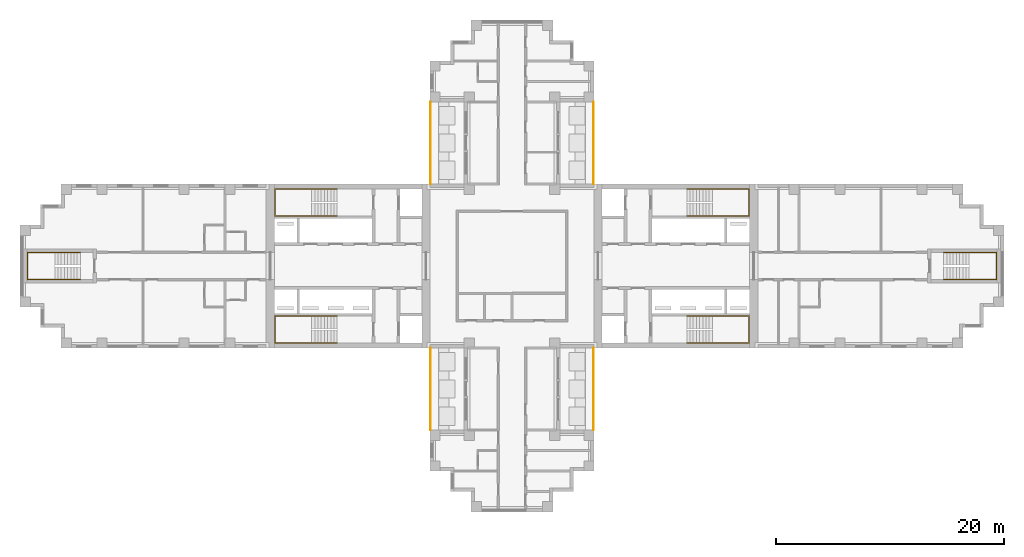
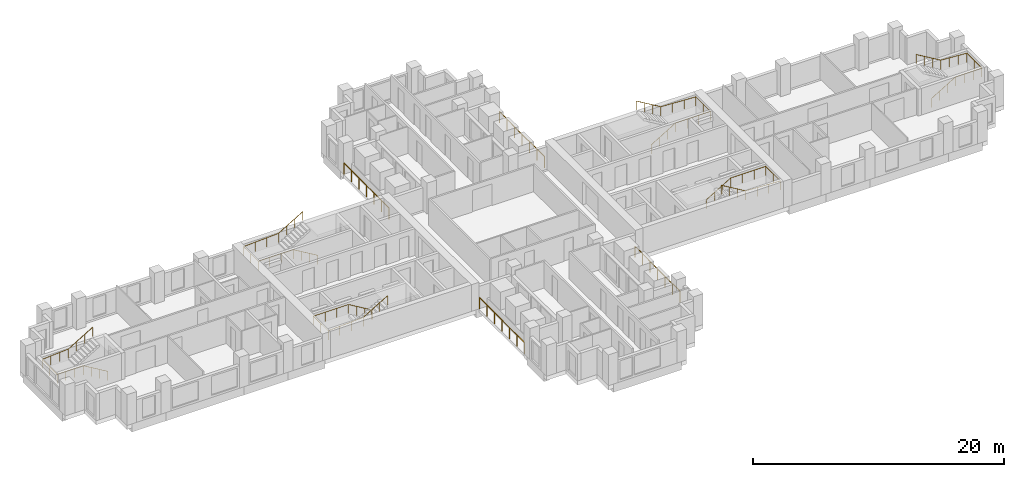
# One storey, part 10 of 11: 10 railings.
"""IFC4 building model written with IfcOpenShell, lengths in metres."""

from ifc_helpers import new_model, si_unit, direction, frame, origin, origin_2d, place, context, subcontext, project, spatial, circle, extrude, material, type_object, element, save


model = new_model("IFC4")

# Units and contexts
model_context = context("Model", 3, precision=1e-05, world=origin(), true_north=direction((0.0, 1.0)))
body_context = subcontext(model_context, "Body", "Model", "MODEL_VIEW")
ifc_project = project(units=[si_unit("LENGTHUNIT", "METRE"), si_unit("AREAUNIT", "SQUARE_METRE"), si_unit("VOLUMEUNIT", "CUBIC_METRE"), si_unit("PLANEANGLEUNIT", "RADIAN"), si_unit("MASSUNIT", "GRAM", prefix="KILO")], contexts=[model_context])

# Site, building, storey
site_placement = place(None, origin())
site = spatial("IfcSite", under=ifc_project, at=site_placement, CompositionType="ELEMENT")
building_placement = place(site_placement, origin())
building = spatial("IfcBuilding", under=site, at=building_placement, Name="Fustian Cross Tower", CompositionType="ELEMENT")
storey_placement = place(building_placement, frame((0.0, 0.0, 120.300048828125)))
storey = spatial("IfcBuildingStorey", under=building, at=storey_placement, Name="L37", CompositionType="ELEMENT", Elevation=120.300048828125)

# Railings
ifc_material_1 = material(Name="Stainless steel and glass", Category="steel")
railing_type_1 = type_object("IfcRailingType", Name="GR1 BALCONY GUARD 1100", PredefinedType="GUARDRAIL", material=ifc_material_1)
for number, where, name in (
    (1, (7.14990234375, 7.199951171875, 0.0), "Balcony guard"),
    (2, (-7.14990234375, 7.199951171875, 0.0), "Balcony guard"),
    (3, (7.14990234375, -14.39990234375, 0.0), "Balcony guard"),
    (4, (-7.14990234375, -14.39990234375, 0.0), "Balcony guard"),
):
    element("IfcRailing", number, at=place(storey_placement, frame(where)), inside=storey, type_object=railing_type_1, Name=name, PredefinedType="GUARDRAIL", context=body_context, shape_type="SweptSolid", body=[
        extrude(circle(Radius=0.02392578125, at=origin_2d()), frame((0.0, 0.0, 1.076171875), z_axis=(0.0, 1.0, 0.0), x_axis=(-1.0, 0.0, 0.0)), (0.0, 0.0, 1.0), 7.199951171875),
        extrude(circle(Radius=0.02099609375, at=origin_2d()), origin(), (0.0, 0.0, 1.0), 1.052001953125),
        extrude(circle(Radius=0.02099609375, at=origin_2d()), frame((0.0, 1.199951171875, 0.0)), (0.0, 0.0, 1.0), 1.052001953125),
        extrude(circle(Radius=0.02099609375, at=origin_2d()), frame((0.0, 2.39990234375, 0.0)), (0.0, 0.0, 1.0), 1.052001953125),
        extrude(circle(Radius=0.02099609375, at=origin_2d()), frame((0.0, 3.60009765625, 0.0)), (0.0, 0.0, 1.0), 1.052001953125),
        extrude(circle(Radius=0.02099609375, at=origin_2d()), frame((0.0, 4.800048828125, 0.0)), (0.0, 0.0, 1.0), 1.052001953125),
        extrude(circle(Radius=0.02099609375, at=origin_2d()), frame((0.0, 6.0, 0.0)), (0.0, 0.0, 1.0), 1.052001953125),
        extrude(circle(Radius=0.02099609375, at=origin_2d()), frame((0.0, 7.199951171875, 0.0)), (0.0, 0.0, 1.0), 1.052001953125),
    ])
ifc_material_2 = material(Name="Stainless steel", Category="steel")
railing_type_2 = type_object("IfcRailingType", Name="STAIR HANDRAIL", PredefinedType="HANDRAIL", material=ifc_material_2)
railing_1_placement = place(storey_placement, frame((15.35009765625, 4.39990234375, 0.16650390625)))
element("IfcRailing", 5, at=railing_1_placement, inside=storey, type_object=railing_type_2, Name="Stair ST1 handrail 1", PredefinedType="HANDRAIL", context=body_context, shape_type="SweptSolid", body=[
    extrude(circle(Radius=0.02490234375, at=origin_2d()), frame((0.0, 0.0, 0.875), z_axis=(0.859264461869, 0.0, 0.511531606619), x_axis=(0.0, 1.0, 0.0)), (0.0, 0.0, 1.0), 2.60693359375),
    extrude(circle(Radius=0.02490234375, at=origin_2d()), frame((2.239990234375, 0.0, 2.20849609375), z_axis=(1.0, 0.0, 0.0), x_axis=(0.0, 1.0, 0.0)), (0.0, 0.0, 1.0), 3.219970703125),
    extrude(circle(Radius=0.02490234375, at=origin_2d()), frame((5.4599609375, 0.0, 2.20849609375), z_axis=(0.0, 1.0, 0.0), x_axis=(-1.0, 0.0, 0.0)), (0.0, 0.0, 1.0), 2.35009765625),
    extrude(circle(Radius=0.02490234375, at=origin_2d()), frame((5.4599609375, 2.35009765625, 2.20849609375), z_axis=(-0.998665725648, 0.0, 0.051640763128), x_axis=(0.0, -1.0, 0.0)), (0.0, 0.0, 1.0), 3.224365234375),
    extrude(circle(Radius=0.02490234375, at=origin_2d()), frame((2.239990234375, 2.35009765625, 2.375), z_axis=(-0.859264461869, 0.0, 0.511531606619), x_axis=(0.0, -1.0, 0.0)), (0.0, 0.0, 1.0), 2.60693359375),
    extrude(circle(Radius=0.02001953125, at=origin_2d()), origin(), (0.0, 0.0, 1.0), 0.849853515625),
    extrude(circle(Radius=0.02001953125, at=origin_2d()), frame((0.74658203125, 0.0, 0.444580078125)), (0.0, 0.0, 1.0), 0.849853515625),
    extrude(circle(Radius=0.02001953125, at=origin_2d()), frame((1.493408203125, 0.0, 0.888916015625)), (0.0, 0.0, 1.0), 0.849853515625),
    extrude(circle(Radius=0.02001953125, at=origin_2d()), frame((2.239990234375, 0.0, 1.33349609375)), (0.0, 0.0, 1.0), 0.849853515625),
    extrude(circle(Radius=0.02001953125, at=origin_2d()), frame((3.313232421875, 0.0, 1.33349609375)), (0.0, 0.0, 1.0), 0.849853515625),
    extrude(circle(Radius=0.02001953125, at=origin_2d()), frame((4.38671875, 0.0, 1.33349609375)), (0.0, 0.0, 1.0), 0.849853515625),
    extrude(circle(Radius=0.02001953125, at=origin_2d()), frame((5.4599609375, 0.0, 1.33349609375)), (0.0, 0.0, 1.0), 0.849853515625),
    extrude(circle(Radius=0.02001953125, at=origin_2d()), frame((5.4599609375, 1.175048828125, 1.33349609375)), (0.0, 0.0, 1.0), 0.849853515625),
    extrude(circle(Radius=0.02001953125, at=origin_2d()), frame((5.4599609375, 2.35009765625, 1.33349609375)), (0.0, 0.0, 1.0), 0.849853515625),
    extrude(circle(Radius=0.02001953125, at=origin_2d()), frame((4.38671875, 2.35009765625, 1.388916015625)), (0.0, 0.0, 1.0), 0.849853515625),
    extrude(circle(Radius=0.02001953125, at=origin_2d()), frame((3.313232421875, 2.35009765625, 1.444580078125)), (0.0, 0.0, 1.0), 0.849853515625),
    extrude(circle(Radius=0.02001953125, at=origin_2d()), frame((2.239990234375, 2.35009765625, 1.5)), (0.0, 0.0, 1.0), 0.849853515625),
    extrude(circle(Radius=0.02001953125, at=origin_2d()), frame((1.493408203125, 2.35009765625, 1.944580078125)), (0.0, 0.0, 1.0), 0.849853515625),
    extrude(circle(Radius=0.02001953125, at=origin_2d()), frame((0.74658203125, 2.35009765625, 2.388916015625)), (0.0, 0.0, 1.0), 0.849853515625),
    extrude(circle(Radius=0.02001953125, at=origin_2d()), frame((0.0, 2.35009765625, 2.83349609375)), (0.0, 0.0, 1.0), 0.849853515625),
])
railing_2_placement = place(storey_placement, frame((15.35009765625, -4.39990234375, 0.16650390625)))
element("IfcRailing", 6, at=railing_2_placement, inside=storey, type_object=railing_type_2, Name="Stair ST2 handrail 1", PredefinedType="HANDRAIL", context=body_context, shape_type="SweptSolid", body=[
    extrude(circle(Radius=0.02490234375, at=origin_2d()), frame((0.0, 0.0, 0.875), z_axis=(0.859264461869, 0.0, 0.511531606619), x_axis=(0.0, 1.0, 0.0)), (0.0, 0.0, 1.0), 2.60693359375),
    extrude(circle(Radius=0.02490234375, at=origin_2d()), frame((2.239990234375, 0.0, 2.20849609375), z_axis=(1.0, 0.0, 0.0), x_axis=(0.0, 1.0, 0.0)), (0.0, 0.0, 1.0), 3.219970703125),
    extrude(circle(Radius=0.02490234375, at=origin_2d()), frame((5.4599609375, 0.0, 2.20849609375), z_axis=(0.0, -1.0, 0.0), x_axis=(1.0, 0.0, 0.0)), (0.0, 0.0, 1.0), 2.35009765625),
    extrude(circle(Radius=0.02490234375, at=origin_2d()), frame((5.4599609375, -2.35009765625, 2.20849609375), z_axis=(-0.998665725648, 0.0, 0.051640763128), x_axis=(0.0, -1.0, 0.0)), (0.0, 0.0, 1.0), 3.224365234375),
    extrude(circle(Radius=0.02490234375, at=origin_2d()), frame((2.239990234375, -2.35009765625, 2.375), z_axis=(-0.859264461869, 0.0, 0.511531606619), x_axis=(0.0, -1.0, 0.0)), (0.0, 0.0, 1.0), 2.60693359375),
    extrude(circle(Radius=0.02001953125, at=origin_2d()), origin(), (0.0, 0.0, 1.0), 0.849853515625),
    extrude(circle(Radius=0.02001953125, at=origin_2d()), frame((0.74658203125, 0.0, 0.444580078125)), (0.0, 0.0, 1.0), 0.849853515625),
    extrude(circle(Radius=0.02001953125, at=origin_2d()), frame((1.493408203125, 0.0, 0.888916015625)), (0.0, 0.0, 1.0), 0.849853515625),
    extrude(circle(Radius=0.02001953125, at=origin_2d()), frame((2.239990234375, 0.0, 1.33349609375)), (0.0, 0.0, 1.0), 0.849853515625),
    extrude(circle(Radius=0.02001953125, at=origin_2d()), frame((3.313232421875, 0.0, 1.33349609375)), (0.0, 0.0, 1.0), 0.849853515625),
    extrude(circle(Radius=0.02001953125, at=origin_2d()), frame((4.38671875, 0.0, 1.33349609375)), (0.0, 0.0, 1.0), 0.849853515625),
    extrude(circle(Radius=0.02001953125, at=origin_2d()), frame((5.4599609375, 0.0, 1.33349609375)), (0.0, 0.0, 1.0), 0.849853515625),
    extrude(circle(Radius=0.02001953125, at=origin_2d()), frame((5.4599609375, -1.175048828125, 1.33349609375)), (0.0, 0.0, 1.0), 0.849853515625),
    extrude(circle(Radius=0.02001953125, at=origin_2d()), frame((5.4599609375, -2.35009765625, 1.33349609375)), (0.0, 0.0, 1.0), 0.849853515625),
    extrude(circle(Radius=0.02001953125, at=origin_2d()), frame((4.38671875, -2.35009765625, 1.388916015625)), (0.0, 0.0, 1.0), 0.849853515625),
    extrude(circle(Radius=0.02001953125, at=origin_2d()), frame((3.313232421875, -2.35009765625, 1.444580078125)), (0.0, 0.0, 1.0), 0.849853515625),
    extrude(circle(Radius=0.02001953125, at=origin_2d()), frame((2.239990234375, -2.35009765625, 1.5)), (0.0, 0.0, 1.0), 0.849853515625),
    extrude(circle(Radius=0.02001953125, at=origin_2d()), frame((1.493408203125, -2.35009765625, 1.944580078125)), (0.0, 0.0, 1.0), 0.849853515625),
    extrude(circle(Radius=0.02001953125, at=origin_2d()), frame((0.74658203125, -2.35009765625, 2.388916015625)), (0.0, 0.0, 1.0), 0.849853515625),
    extrude(circle(Radius=0.02001953125, at=origin_2d()), frame((0.0, -2.35009765625, 2.83349609375)), (0.0, 0.0, 1.0), 0.849853515625),
])
railing_3_placement = place(storey_placement, frame((-15.35009765625, 4.39990234375, 0.16650390625)))
element("IfcRailing", 7, at=railing_3_placement, inside=storey, type_object=railing_type_2, Name="Stair ST3 handrail 1", PredefinedType="HANDRAIL", context=body_context, shape_type="SweptSolid", body=[
    extrude(circle(Radius=0.02490234375, at=origin_2d()), frame((0.0, 0.0, 0.875), z_axis=(-0.859264461869, 0.0, 0.511531606619), x_axis=(0.0, -1.0, 0.0)), (0.0, 0.0, 1.0), 2.60693359375),
    extrude(circle(Radius=0.02490234375, at=origin_2d()), frame((-2.239990234375, 0.0, 2.20849609375), z_axis=(-1.0, 0.0, 0.0), x_axis=(0.0, -1.0, 0.0)), (0.0, 0.0, 1.0), 3.219970703125),
    extrude(circle(Radius=0.02490234375, at=origin_2d()), frame((-5.4599609375, 0.0, 2.20849609375), z_axis=(0.0, 1.0, 0.0), x_axis=(-1.0, 0.0, 0.0)), (0.0, 0.0, 1.0), 2.35009765625),
    extrude(circle(Radius=0.02490234375, at=origin_2d()), frame((-5.4599609375, 2.35009765625, 2.20849609375), z_axis=(0.998665725648, 0.0, 0.051640763128), x_axis=(0.0, 1.0, 0.0)), (0.0, 0.0, 1.0), 3.224365234375),
    extrude(circle(Radius=0.02490234375, at=origin_2d()), frame((-2.239990234375, 2.35009765625, 2.375), z_axis=(0.859264461869, 0.0, 0.511531606619), x_axis=(0.0, 1.0, 0.0)), (0.0, 0.0, 1.0), 2.60693359375),
    extrude(circle(Radius=0.02001953125, at=origin_2d()), origin(), (0.0, 0.0, 1.0), 0.849853515625),
    extrude(circle(Radius=0.02001953125, at=origin_2d()), frame((-0.74658203125, 0.0, 0.444580078125)), (0.0, 0.0, 1.0), 0.849853515625),
    extrude(circle(Radius=0.02001953125, at=origin_2d()), frame((-1.493408203125, 0.0, 0.888916015625)), (0.0, 0.0, 1.0), 0.849853515625),
    extrude(circle(Radius=0.02001953125, at=origin_2d()), frame((-2.239990234375, 0.0, 1.33349609375)), (0.0, 0.0, 1.0), 0.849853515625),
    extrude(circle(Radius=0.02001953125, at=origin_2d()), frame((-3.313232421875, 0.0, 1.33349609375)), (0.0, 0.0, 1.0), 0.849853515625),
    extrude(circle(Radius=0.02001953125, at=origin_2d()), frame((-4.38671875, 0.0, 1.33349609375)), (0.0, 0.0, 1.0), 0.849853515625),
    extrude(circle(Radius=0.02001953125, at=origin_2d()), frame((-5.4599609375, 0.0, 1.33349609375)), (0.0, 0.0, 1.0), 0.849853515625),
    extrude(circle(Radius=0.02001953125, at=origin_2d()), frame((-5.4599609375, 1.175048828125, 1.33349609375)), (0.0, 0.0, 1.0), 0.849853515625),
    extrude(circle(Radius=0.02001953125, at=origin_2d()), frame((-5.4599609375, 2.35009765625, 1.33349609375)), (0.0, 0.0, 1.0), 0.849853515625),
    extrude(circle(Radius=0.02001953125, at=origin_2d()), frame((-4.38671875, 2.35009765625, 1.388916015625)), (0.0, 0.0, 1.0), 0.849853515625),
    extrude(circle(Radius=0.02001953125, at=origin_2d()), frame((-3.313232421875, 2.35009765625, 1.444580078125)), (0.0, 0.0, 1.0), 0.849853515625),
    extrude(circle(Radius=0.02001953125, at=origin_2d()), frame((-2.239990234375, 2.35009765625, 1.5)), (0.0, 0.0, 1.0), 0.849853515625),
    extrude(circle(Radius=0.02001953125, at=origin_2d()), frame((-1.493408203125, 2.35009765625, 1.944580078125)), (0.0, 0.0, 1.0), 0.849853515625),
    extrude(circle(Radius=0.02001953125, at=origin_2d()), frame((-0.74658203125, 2.35009765625, 2.388916015625)), (0.0, 0.0, 1.0), 0.849853515625),
    extrude(circle(Radius=0.02001953125, at=origin_2d()), frame((0.0, 2.35009765625, 2.83349609375)), (0.0, 0.0, 1.0), 0.849853515625),
])
railing_4_placement = place(storey_placement, frame((-15.35009765625, -4.39990234375, 0.16650390625)))
element("IfcRailing", 8, at=railing_4_placement, inside=storey, type_object=railing_type_2, Name="Stair ST4 handrail 1", PredefinedType="HANDRAIL", context=body_context, shape_type="SweptSolid", body=[
    extrude(circle(Radius=0.02490234375, at=origin_2d()), frame((0.0, 0.0, 0.875), z_axis=(-0.859264461869, 0.0, 0.511531606619), x_axis=(0.0, -1.0, 0.0)), (0.0, 0.0, 1.0), 2.60693359375),
    extrude(circle(Radius=0.02490234375, at=origin_2d()), frame((-2.239990234375, 0.0, 2.20849609375), z_axis=(-1.0, 0.0, 0.0), x_axis=(0.0, -1.0, 0.0)), (0.0, 0.0, 1.0), 3.219970703125),
    extrude(circle(Radius=0.02490234375, at=origin_2d()), frame((-5.4599609375, 0.0, 2.20849609375), z_axis=(0.0, -1.0, 0.0), x_axis=(1.0, 0.0, 0.0)), (0.0, 0.0, 1.0), 2.35009765625),
    extrude(circle(Radius=0.02490234375, at=origin_2d()), frame((-5.4599609375, -2.35009765625, 2.20849609375), z_axis=(0.998665725648, 0.0, 0.051640763128), x_axis=(0.0, 1.0, 0.0)), (0.0, 0.0, 1.0), 3.224365234375),
    extrude(circle(Radius=0.02490234375, at=origin_2d()), frame((-2.239990234375, -2.35009765625, 2.375), z_axis=(0.859264461869, 0.0, 0.511531606619), x_axis=(0.0, 1.0, 0.0)), (0.0, 0.0, 1.0), 2.60693359375),
    extrude(circle(Radius=0.02001953125, at=origin_2d()), origin(), (0.0, 0.0, 1.0), 0.849853515625),
    extrude(circle(Radius=0.02001953125, at=origin_2d()), frame((-0.74658203125, 0.0, 0.444580078125)), (0.0, 0.0, 1.0), 0.849853515625),
    extrude(circle(Radius=0.02001953125, at=origin_2d()), frame((-1.493408203125, 0.0, 0.888916015625)), (0.0, 0.0, 1.0), 0.849853515625),
    extrude(circle(Radius=0.02001953125, at=origin_2d()), frame((-2.239990234375, 0.0, 1.33349609375)), (0.0, 0.0, 1.0), 0.849853515625),
    extrude(circle(Radius=0.02001953125, at=origin_2d()), frame((-3.313232421875, 0.0, 1.33349609375)), (0.0, 0.0, 1.0), 0.849853515625),
    extrude(circle(Radius=0.02001953125, at=origin_2d()), frame((-4.38671875, 0.0, 1.33349609375)), (0.0, 0.0, 1.0), 0.849853515625),
    extrude(circle(Radius=0.02001953125, at=origin_2d()), frame((-5.4599609375, 0.0, 1.33349609375)), (0.0, 0.0, 1.0), 0.849853515625),
    extrude(circle(Radius=0.02001953125, at=origin_2d()), frame((-5.4599609375, -1.175048828125, 1.33349609375)), (0.0, 0.0, 1.0), 0.849853515625),
    extrude(circle(Radius=0.02001953125, at=origin_2d()), frame((-5.4599609375, -2.35009765625, 1.33349609375)), (0.0, 0.0, 1.0), 0.849853515625),
    extrude(circle(Radius=0.02001953125, at=origin_2d()), frame((-4.38671875, -2.35009765625, 1.388916015625)), (0.0, 0.0, 1.0), 0.849853515625),
    extrude(circle(Radius=0.02001953125, at=origin_2d()), frame((-3.313232421875, -2.35009765625, 1.444580078125)), (0.0, 0.0, 1.0), 0.849853515625),
    extrude(circle(Radius=0.02001953125, at=origin_2d()), frame((-2.239990234375, -2.35009765625, 1.5)), (0.0, 0.0, 1.0), 0.849853515625),
    extrude(circle(Radius=0.02001953125, at=origin_2d()), frame((-1.493408203125, -2.35009765625, 1.944580078125)), (0.0, 0.0, 1.0), 0.849853515625),
    extrude(circle(Radius=0.02001953125, at=origin_2d()), frame((-0.74658203125, -2.35009765625, 2.388916015625)), (0.0, 0.0, 1.0), 0.849853515625),
    extrude(circle(Radius=0.02001953125, at=origin_2d()), frame((0.0, -2.35009765625, 2.83349609375)), (0.0, 0.0, 1.0), 0.849853515625),
])
railing_5_placement = place(storey_placement, frame((37.89990234375, -1.199951171875, 0.16650390625)))
element("IfcRailing", 9, at=railing_5_placement, inside=storey, type_object=railing_type_2, Name="Stair ST8 handrail 1", PredefinedType="HANDRAIL", context=body_context, shape_type="SweptSolid", body=[
    extrude(circle(Radius=0.02490234375, at=origin_2d()), frame((0.0, 0.0, 0.875), z_axis=(0.859264461869, 0.0, 0.511531606619), x_axis=(0.0, 1.0, 0.0)), (0.0, 0.0, 1.0), 2.60693359375),
    extrude(circle(Radius=0.02490234375, at=origin_2d()), frame((2.239990234375, 0.0, 2.20849609375), z_axis=(1.0, 0.0, 0.0), x_axis=(0.0, 1.0, 0.0)), (0.0, 0.0, 1.0), 2.420166015625),
    extrude(circle(Radius=0.02490234375, at=origin_2d()), frame((4.66015625, 0.0, 2.20849609375), z_axis=(0.0, 1.0, 0.0), x_axis=(-1.0, 0.0, 0.0)), (0.0, 0.0, 1.0), 2.39990234375),
    extrude(circle(Radius=0.02490234375, at=origin_2d()), frame((4.66015625, 2.39990234375, 2.20849609375), z_axis=(-0.997641748275, 0.0, 0.068636303069), x_axis=(0.0, -1.0, 0.0)), (0.0, 0.0, 1.0), 2.42578125),
    extrude(circle(Radius=0.02490234375, at=origin_2d()), frame((2.239990234375, 2.39990234375, 2.375), z_axis=(-0.859264461869, 0.0, 0.511531606619), x_axis=(0.0, -1.0, 0.0)), (0.0, 0.0, 1.0), 2.60693359375),
    extrude(circle(Radius=0.02001953125, at=origin_2d()), origin(), (0.0, 0.0, 1.0), 0.849853515625),
    extrude(circle(Radius=0.02001953125, at=origin_2d()), frame((0.74658203125, 0.0, 0.444580078125)), (0.0, 0.0, 1.0), 0.849853515625),
    extrude(circle(Radius=0.02001953125, at=origin_2d()), frame((1.493408203125, 0.0, 0.888916015625)), (0.0, 0.0, 1.0), 0.849853515625),
    extrude(circle(Radius=0.02001953125, at=origin_2d()), frame((2.239990234375, 0.0, 1.33349609375)), (0.0, 0.0, 1.0), 0.849853515625),
    extrude(circle(Radius=0.02001953125, at=origin_2d()), frame((3.046630859375, 0.0, 1.33349609375)), (0.0, 0.0, 1.0), 0.849853515625),
    extrude(circle(Radius=0.02001953125, at=origin_2d()), frame((3.853515625, 0.0, 1.33349609375)), (0.0, 0.0, 1.0), 0.849853515625),
    extrude(circle(Radius=0.02001953125, at=origin_2d()), frame((4.66015625, 0.0, 1.33349609375)), (0.0, 0.0, 1.0), 0.849853515625),
    extrude(circle(Radius=0.02001953125, at=origin_2d()), frame((4.66015625, 1.199951171875, 1.33349609375)), (0.0, 0.0, 1.0), 0.849853515625),
    extrude(circle(Radius=0.02001953125, at=origin_2d()), frame((4.66015625, 2.39990234375, 1.33349609375)), (0.0, 0.0, 1.0), 0.849853515625),
    extrude(circle(Radius=0.02001953125, at=origin_2d()), frame((3.853515625, 2.39990234375, 1.388916015625)), (0.0, 0.0, 1.0), 0.849853515625),
    extrude(circle(Radius=0.02001953125, at=origin_2d()), frame((3.046630859375, 2.39990234375, 1.444580078125)), (0.0, 0.0, 1.0), 0.849853515625),
    extrude(circle(Radius=0.02001953125, at=origin_2d()), frame((2.239990234375, 2.39990234375, 1.5)), (0.0, 0.0, 1.0), 0.849853515625),
    extrude(circle(Radius=0.02001953125, at=origin_2d()), frame((1.493408203125, 2.39990234375, 1.944580078125)), (0.0, 0.0, 1.0), 0.849853515625),
    extrude(circle(Radius=0.02001953125, at=origin_2d()), frame((0.74658203125, 2.39990234375, 2.388916015625)), (0.0, 0.0, 1.0), 0.849853515625),
    extrude(circle(Radius=0.02001953125, at=origin_2d()), frame((0.0, 2.39990234375, 2.83349609375)), (0.0, 0.0, 1.0), 0.849853515625),
])
railing_6_placement = place(storey_placement, frame((-37.89990234375, -1.199951171875, 0.16650390625)))
element("IfcRailing", 10, at=railing_6_placement, inside=storey, type_object=railing_type_2, Name="Stair ST9 handrail 1", PredefinedType="HANDRAIL", context=body_context, shape_type="SweptSolid", body=[
    extrude(circle(Radius=0.02490234375, at=origin_2d()), frame((0.0, 0.0, 0.875), z_axis=(-0.859264461869, 0.0, 0.511531606619), x_axis=(0.0, -1.0, 0.0)), (0.0, 0.0, 1.0), 2.60693359375),
    extrude(circle(Radius=0.02490234375, at=origin_2d()), frame((-2.239990234375, 0.0, 2.20849609375), z_axis=(-1.0, 0.0, 0.0), x_axis=(0.0, -1.0, 0.0)), (0.0, 0.0, 1.0), 2.420166015625),
    extrude(circle(Radius=0.02490234375, at=origin_2d()), frame((-4.66015625, 0.0, 2.20849609375), z_axis=(0.0, 1.0, 0.0), x_axis=(-1.0, 0.0, 0.0)), (0.0, 0.0, 1.0), 2.39990234375),
    extrude(circle(Radius=0.02490234375, at=origin_2d()), frame((-4.66015625, 2.39990234375, 2.20849609375), z_axis=(0.997641748275, 0.0, 0.068636303069), x_axis=(0.0, 1.0, 0.0)), (0.0, 0.0, 1.0), 2.42578125),
    extrude(circle(Radius=0.02490234375, at=origin_2d()), frame((-2.239990234375, 2.39990234375, 2.375), z_axis=(0.859264461869, 0.0, 0.511531606619), x_axis=(0.0, 1.0, 0.0)), (0.0, 0.0, 1.0), 2.60693359375),
    extrude(circle(Radius=0.02001953125, at=origin_2d()), origin(), (0.0, 0.0, 1.0), 0.849853515625),
    extrude(circle(Radius=0.02001953125, at=origin_2d()), frame((-0.74658203125, 0.0, 0.444580078125)), (0.0, 0.0, 1.0), 0.849853515625),
    extrude(circle(Radius=0.02001953125, at=origin_2d()), frame((-1.493408203125, 0.0, 0.888916015625)), (0.0, 0.0, 1.0), 0.849853515625),
    extrude(circle(Radius=0.02001953125, at=origin_2d()), frame((-2.239990234375, 0.0, 1.33349609375)), (0.0, 0.0, 1.0), 0.849853515625),
    extrude(circle(Radius=0.02001953125, at=origin_2d()), frame((-3.046630859375, 0.0, 1.33349609375)), (0.0, 0.0, 1.0), 0.849853515625),
    extrude(circle(Radius=0.02001953125, at=origin_2d()), frame((-3.853515625, 0.0, 1.33349609375)), (0.0, 0.0, 1.0), 0.849853515625),
    extrude(circle(Radius=0.02001953125, at=origin_2d()), frame((-4.66015625, 0.0, 1.33349609375)), (0.0, 0.0, 1.0), 0.849853515625),
    extrude(circle(Radius=0.02001953125, at=origin_2d()), frame((-4.66015625, 1.199951171875, 1.33349609375)), (0.0, 0.0, 1.0), 0.849853515625),
    extrude(circle(Radius=0.02001953125, at=origin_2d()), frame((-4.66015625, 2.39990234375, 1.33349609375)), (0.0, 0.0, 1.0), 0.849853515625),
    extrude(circle(Radius=0.02001953125, at=origin_2d()), frame((-3.853515625, 2.39990234375, 1.388916015625)), (0.0, 0.0, 1.0), 0.849853515625),
    extrude(circle(Radius=0.02001953125, at=origin_2d()), frame((-3.046630859375, 2.39990234375, 1.444580078125)), (0.0, 0.0, 1.0), 0.849853515625),
    extrude(circle(Radius=0.02001953125, at=origin_2d()), frame((-2.239990234375, 2.39990234375, 1.5)), (0.0, 0.0, 1.0), 0.849853515625),
    extrude(circle(Radius=0.02001953125, at=origin_2d()), frame((-1.493408203125, 2.39990234375, 1.944580078125)), (0.0, 0.0, 1.0), 0.849853515625),
    extrude(circle(Radius=0.02001953125, at=origin_2d()), frame((-0.74658203125, 2.39990234375, 2.388916015625)), (0.0, 0.0, 1.0), 0.849853515625),
    extrude(circle(Radius=0.02001953125, at=origin_2d()), frame((0.0, 2.39990234375, 2.83349609375)), (0.0, 0.0, 1.0), 0.849853515625),
])

save(model, "model.ifc")
